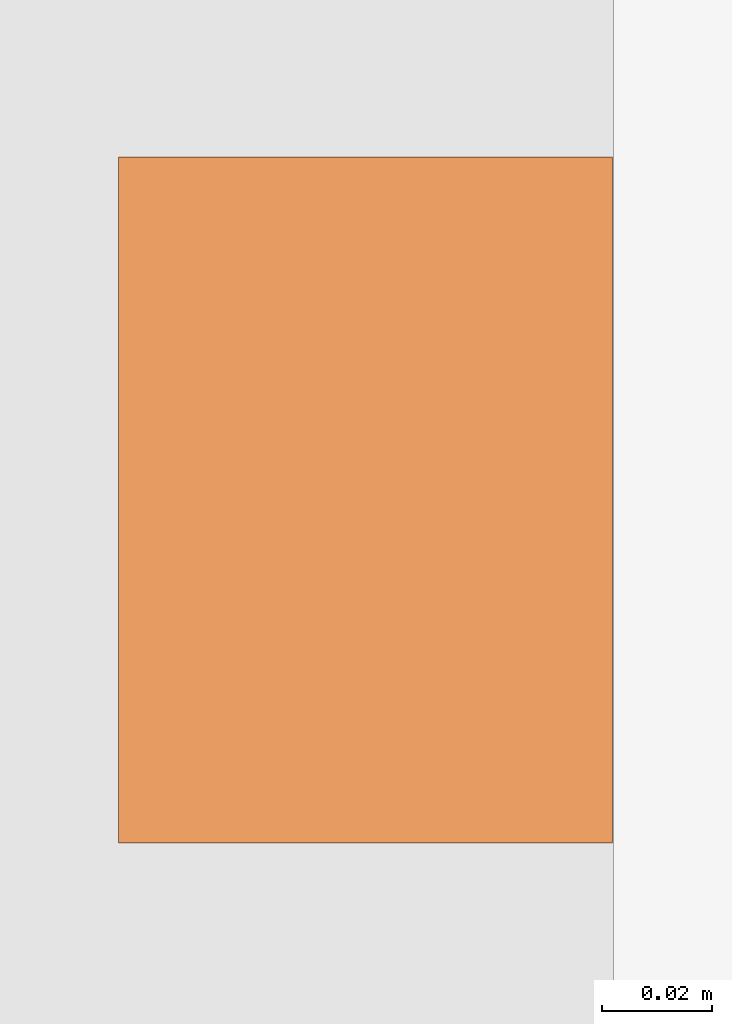
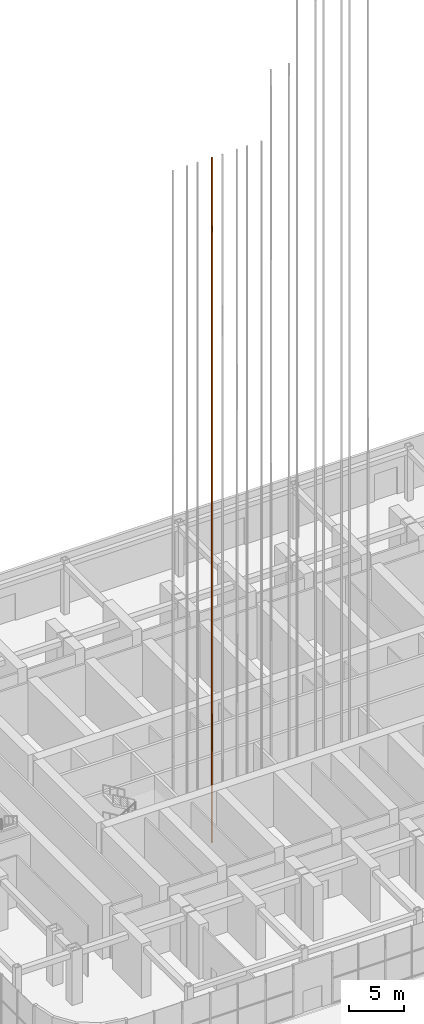
# One storey, part 45 of 57: 1 proxy.
"""IFC4 building model written with IfcOpenShell, lengths in metres."""

from ifc_helpers import new_model, si_unit, direction, frame, origin, origin_2d, place, context, subcontext, project, spatial, rectangle, extrude, material, element, save


model = new_model("IFC4")

# Units and contexts
model_context = context("Model", 3, precision=1e-05, world=origin(), true_north=direction((0.0, 1.0)))
body_context = subcontext(model_context, "Body", "Model", "MODEL_VIEW")
ifc_project = project(units=[si_unit("LENGTHUNIT", "METRE"), si_unit("AREAUNIT", "SQUARE_METRE"), si_unit("VOLUMEUNIT", "CUBIC_METRE"), si_unit("PLANEANGLEUNIT", "RADIAN"), si_unit("MASSUNIT", "GRAM", prefix="KILO")], contexts=[model_context])

# Site, building, storey
site_placement = place(None, origin())
site = spatial("IfcSite", under=ifc_project, at=site_placement, CompositionType="ELEMENT")
building_placement = place(site_placement, origin())
building = spatial("IfcBuilding", under=site, at=building_placement, Name="Orbita Commons", CompositionType="ELEMENT")
storey_placement = place(building_placement, origin())
storey = spatial("IfcBuildingStorey", under=building, at=storey_placement, Name="L00", CompositionType="ELEMENT", Elevation=0.0)

# Proxy
ifc_material = material(Name="Machined steel guide rail", Category="steel")
placement = place(storey_placement, frame((29.89990234375, 28.10009765625, 0.0), z_axis=(0.0, 0.0, 1.0), x_axis=(1.0, 0.0, 0.0)))
proxy_placement = place(placement, frame((0.7548828125, 0.0, -1.800048828125)))
element("IfcBuildingElementProxy", 1, at=proxy_placement, inside=storey, material=ifc_material, Name="P12 guide rail 2", ObjectType="GUIDE RAIL", PredefinedType="USERDEFINED", context=body_context, shape_type="SweptSolid", body=[
    extrude(rectangle(XDim=0.09, YDim=0.125, at=origin_2d()), origin(), (0.0, 0.0, 1.0), 75.85009765625),
])

save(model, "model.ifc")
